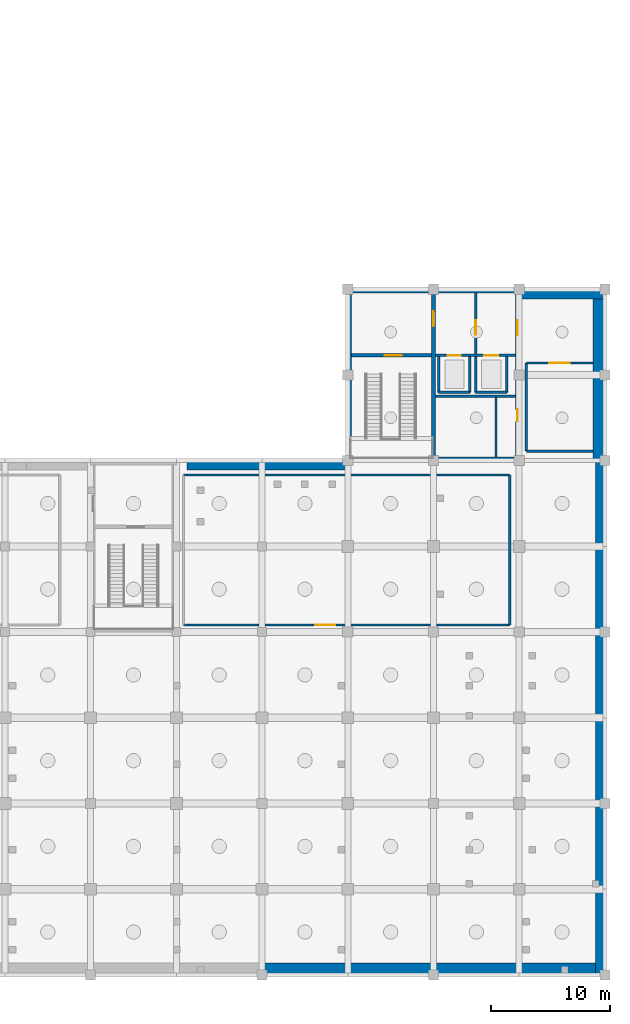
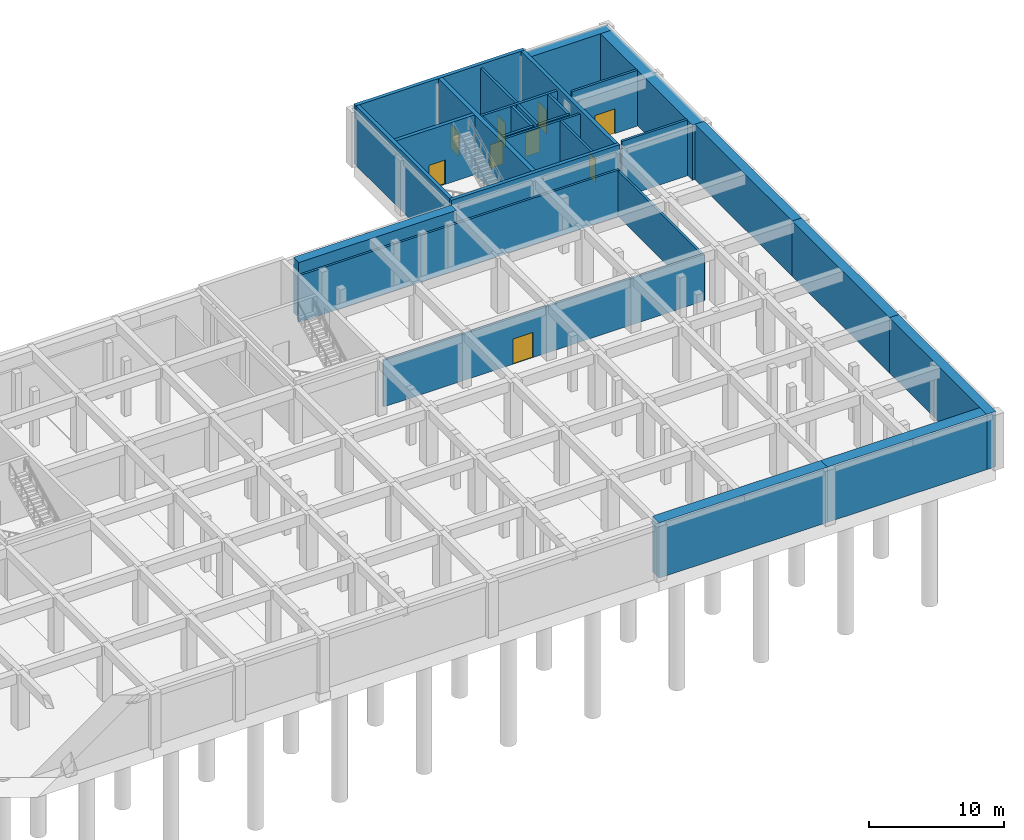
# One storey, part 10 of 15: 30 walls, 9 doors, 9 openings.
"""IFC4 building model written with IfcOpenShell, lengths in metres."""

import ifcopenshell
import ifcopenshell.guid

model = None  # the IFC model being written
_history = None  # IfcOwnerHistory: only IFC2X3 demands one
_inside = {}  # id of a spatial element -> (the spatial element, [elements in it])
_under = {}  # id of a project, library or spatial element -> (it, [spatial elements below it])
_declared = {}  # id of a project -> (the project, [libraries it declares])
_typed = {}  # id of a type object -> (the type object, [elements of that type])
_made_of = {}  # id of a material, layer set ... -> (it, [elements and type objects made of it])


def new_model(schema):
    """Start an empty IFC model of exactly this schema.

    Asked for "IFC4X3", IfcOpenShell would pick the latest addendum, in which some entities
    have other attributes; the version numbers below select the first issue.
    IFC2X3 requires an IfcOwnerHistory on every rooted entity: one is made here for all.
    """
    global model, _history
    if schema == "IFC4X3":
        model = ifcopenshell.file(schema_version=(4, 3, 0, 0))
    else:
        model = ifcopenshell.file(schema=schema)
    _inside.clear()
    _under.clear()
    _declared.clear()
    _typed.clear()
    _made_of.clear()
    _history = None
    if model.schema == "IFC2X3":
        org = make("IfcOrganization", Name="unknown")
        user = make(
            "IfcPersonAndOrganization",
            ThePerson=make("IfcPerson", FamilyName="unknown"),
            TheOrganization=org,
        )
        app = make(
            "IfcApplication",
            ApplicationDeveloper=org,
            Version="unknown",
            ApplicationFullName="unknown",
            ApplicationIdentifier="unknown",
        )
        _history = make(
            "IfcOwnerHistory",
            OwningUser=user,
            OwningApplication=app,
            ChangeAction="ADDED",
            CreationDate=0,
        )
    return model


def make(cls, **values):
    """One entity of the class cls with the attributes given. An attribute that is None is left unset."""
    return model.create_entity(
        cls, **{name: value for name, value in values.items() if value is not None}
    )


def rooted(cls, **values):
    """An entity with a GlobalId (a new one), such as an element, a storey or a relation."""
    return make(cls, GlobalId=ifcopenshell.guid.new(), OwnerHistory=_history, **values)


def si_unit(unit_type, name, prefix=None):
    """IfcSIUnit, for example si_unit("LENGTHUNIT", "METRE", prefix="MILLI")."""
    return make("IfcSIUnit", UnitType=unit_type, Prefix=prefix, Name=name)


def assignment(units):
    """IfcUnitAssignment: the units of a project."""
    return None if units is None else make("IfcUnitAssignment", Units=units)


def point(xyz):
    """IfcCartesianPoint."""
    return None if xyz is None else make("IfcCartesianPoint", Coordinates=xyz)


def direction(xyz):
    """IfcDirection."""
    return None if xyz is None else make("IfcDirection", DirectionRatios=xyz)


def frame(location, z_axis=None, x_axis=None):
    """IfcAxis2Placement3D, a coordinate frame: its origin and axes. An axis left out is left unset."""
    return make(
        "IfcAxis2Placement3D",
        Location=point(location),
        Axis=direction(z_axis),
        RefDirection=direction(x_axis),
    )


def frame_2d(location, x_axis=None):
    """IfcAxis2Placement2D, a coordinate frame in the plane: its origin and x axis."""
    return make(
        "IfcAxis2Placement2D", Location=point(location), RefDirection=direction(x_axis)
    )


def origin():
    """The frame at (0, 0, 0) with its axes left unset."""
    return frame((0.0, 0.0, 0.0))


def place(relative_to, where):
    """IfcLocalPlacement: puts the frame where relative to a parent placement (None: the world)."""
    return make(
        "IfcLocalPlacement", PlacementRelTo=relative_to, RelativePlacement=where
    )


def context(
    kind, dimensions, precision=None, world=None, true_north=None, identifier=None
):
    """IfcGeometricRepresentationContext, for example the 3D "Model" context."""
    return make(
        "IfcGeometricRepresentationContext",
        ContextIdentifier=identifier,
        ContextType=kind,
        CoordinateSpaceDimension=dimensions,
        Precision=precision,
        WorldCoordinateSystem=world,
        TrueNorth=true_north,
    )


def subcontext(parent, identifier, kind, view, scale=None):
    """IfcGeometricRepresentationSubContext, for example "Body" below "Model"."""
    return make(
        "IfcGeometricRepresentationSubContext",
        ContextIdentifier=identifier,
        ContextType=kind,
        ParentContext=parent,
        TargetScale=scale,
        TargetView=view,
    )


def project(units=None, contexts=None):
    """IfcProject with its units and contexts."""
    return rooted(
        "IfcProject",
        Name="project",
        RepresentationContexts=contexts,
        UnitsInContext=assignment(units),
    )


def spatial(cls, under=None, at=None, **own):
    """A site, building, storey or space (cls), placed at a placement, below another one or the project."""
    s = rooted(cls, ObjectPlacement=at, **own)
    if under is not None:
        _under.setdefault(under.id(), (under, []))[1].append(s)
    return s


def profile(cls, at=None, kind="AREA", **sizes):
    """A parametric profile (cls). Its sizes go by their IFC names, for example OverallWidth=200.0."""
    return make(cls, ProfileType=kind, Position=at, **sizes)


def rectangle(**sizes):
    """IfcRectangleProfileDef."""
    return profile("IfcRectangleProfileDef", **sizes)


def extrude(swept, where, along, depth):
    """IfcExtrudedAreaSolid: the profile swept, set in the frame where, extruded along a direction by depth."""
    return make(
        "IfcExtrudedAreaSolid",
        SweptArea=swept,
        Position=where,
        ExtrudedDirection=direction(along),
        Depth=depth,
    )


def shape(context_of_items, identifier, shape_type, items):
    """IfcShapeRepresentation: the items that make up one representation, for example the "Body"."""
    return make(
        "IfcShapeRepresentation",
        ContextOfItems=context_of_items,
        RepresentationIdentifier=identifier,
        RepresentationType=shape_type,
        Items=items,
    )


def material(Name=None, Category=None):
    """IfcMaterial."""
    return make("IfcMaterial", Name=Name, Category=Category)


def layer(
    of_material, thickness, ventilated=None, Name=None, Category=None, Priority=None
):
    """IfcMaterialLayer: one layer of a wall or slab, of a material (None: an air gap)."""
    return make(
        "IfcMaterialLayer",
        Material=of_material,
        LayerThickness=thickness,
        IsVentilated=ventilated,
        Name=Name,
        Category=Category,
        Priority=Priority,
    )


def layer_set(layers, Name=None):
    """IfcMaterialLayerSet."""
    return make("IfcMaterialLayerSet", MaterialLayers=layers, LayerSetName=Name)


def made_of(thing, what):
    """Note that an element or type object is made of a material, layer set ...; save() writes the relation."""
    if what is not None:
        _made_of.setdefault(what.id(), (what, []))[1].append(thing)
    return thing


def type_object(cls, material=None, **own):
    """A type object (cls), such as IfcWallType, which elements share."""
    return made_of(rooted(cls, **own), material)


def element(
    cls,
    number,
    at=None,
    inside=None,
    cuts=None,
    type_object=None,
    material=None,
    context=None,
    identifier="Body",
    shape_type=None,
    held_by="IfcProductDefinitionShape",
    body=None,
    shapes=None,
    **own,
):
    """One element of the class cls, such as IfcWall. Its Tag is "e" and its number.

    at: its placement. inside: the storey or other place that contains it. cuts: it is an
    opening in that element (IfcRelVoidsElement). A single representation is given by context,
    identifier, shape_type and body (its items); several are given by shapes. held_by: the class
    of the entity that holds the representations. save() writes the other relations.
    """
    e = rooted(cls, Tag="e%d" % number, ObjectPlacement=at, **own)
    if body is not None:
        shapes = [shape(context, identifier, shape_type, body)]
    if shapes is not None:
        e.Representation = make(held_by, Representations=shapes)
    if inside is not None:
        _inside.setdefault(inside.id(), (inside, []))[1].append(e)
    if cuts is not None:
        rooted(
            "IfcRelVoidsElement", RelatingBuildingElement=cuts, RelatedOpeningElement=e
        )
    if type_object is not None:
        _typed.setdefault(type_object.id(), (type_object, []))[1].append(e)
    return made_of(e, material)


def fill(opening, filler):
    """IfcRelFillsElement: the door or window that sits in an opening."""
    return rooted(
        "IfcRelFillsElement",
        RelatingOpeningElement=opening,
        RelatedBuildingElement=filler,
    )


def aggregate(whole, parts):
    """IfcRelAggregates: a whole, such as a stair, and the parts it consists of."""
    return rooted("IfcRelAggregates", RelatingObject=whole, RelatedObjects=parts)


def save(model, path):
    """Write the relations noted so far, then the file.

    IfcRelAggregates (storeys below a building ...), IfcRelContainedInSpatialStructure (elements
    in a storey), IfcRelDefinesByType, IfcRelAssociatesMaterial and IfcRelDeclares: one each for
    every whole, place, type object, material and project.
    """
    for whole, parts in _under.values():
        aggregate(whole, parts)
    for where, things in _inside.values():
        rooted(
            "IfcRelContainedInSpatialStructure",
            RelatedElements=things,
            RelatingStructure=where,
        )
    for kind, things in _typed.values():
        rooted("IfcRelDefinesByType", RelatedObjects=things, RelatingType=kind)
    for what, things in _made_of.values():
        rooted("IfcRelAssociatesMaterial", RelatedObjects=things, RelatingMaterial=what)
    for by, libraries in _declared.values():
        rooted("IfcRelDeclares", RelatingContext=by, RelatedDefinitions=libraries)
    model.write(path)


model = new_model("IFC4")

# Units and contexts
model_context = context("Model", 3, precision=1e-05, world=origin(), true_north=direction((0.0, 1.0)))
body_context = subcontext(model_context, "Body", "Model", "MODEL_VIEW")
ifc_project = project(units=[si_unit("LENGTHUNIT", "METRE"), si_unit("AREAUNIT", "SQUARE_METRE"), si_unit("VOLUMEUNIT", "CUBIC_METRE"), si_unit("PLANEANGLEUNIT", "RADIAN"), si_unit("MASSUNIT", "GRAM", prefix="KILO")], contexts=[model_context])

# Site, building, storey
site_placement = place(None, origin())
site = spatial("IfcSite", under=ifc_project, at=site_placement, CompositionType="ELEMENT")
building_placement = place(site_placement, origin())
building = spatial("IfcBuilding", under=site, at=building_placement, Name="Leyfeld Transit Interchange", CompositionType="ELEMENT")
storey_placement = place(building_placement, frame((0.0, 0.0, -10.800048828125)))
storey = spatial("IfcBuildingStorey", under=building, at=storey_placement, Name="B02", CompositionType="ELEMENT", Elevation=-10.800048828125)

# Walls
ifc_material_1 = material(Name="Concrete C35/45", Category="concrete")
ifc_layer_1 = layer(ifc_material_1, 1.0, Name="Concrete C35/45")
ifc_layer_set_1 = layer_set([ifc_layer_1], Name="Concrete C35/45")
wall_type_1 = type_object("IfcWallType", Name="WL-DW-1000", PredefinedType="USERDEFINED", material=ifc_layer_set_1)
for number, where, z_axis, x_axis, name in (
    (1, (158.39990234375, 14.89990234375, 0.0), (0.0, 0.0, 1.0), (-1.0, 0.0, 0.0), "Metro Diaphragm Wall DW-B02-S01-P01"),
    (2, (144.0, 14.89990234375, 0.0), (0.0, 0.0, 1.0), (-1.0, 0.0, 0.0), "Metro Diaphragm Wall DW-B02-S01-P02"),
    (3, (157.89990234375, 72.0, 0.0), (0.0, 0.0, 1.0), (0.0, -1.0, 0.0), "Metro Diaphragm Wall DW-B02-S09-P01"),
):
    element("IfcWall", number, at=place(storey_placement, frame(where, z_axis=z_axis, x_axis=x_axis)), inside=storey, type_object=wall_type_1, Name=name, ObjectType="RETAININGWALL", PredefinedType="USERDEFINED", context=body_context, shape_type="SweptSolid", body=[
        extrude(rectangle(XDim=14.39990234375, YDim=1.0, at=frame_2d((7.199951171875, 0.0))), origin(), (0.0, 0.0, 1.0), 5.0),
    ])
ifc_layer_2 = layer(ifc_material_1, 0.800048828125, Name="Concrete C35/45")
ifc_layer_set_2 = layer_set([ifc_layer_2], Name="Concrete C35/45")
wall_type_2 = type_object("IfcWallType", Name="WL-DW-800", PredefinedType="USERDEFINED", material=ifc_layer_set_2)
wall_1_placement = place(storey_placement, frame((123.300048828125, 57.199951171875, 0.0), z_axis=(0.0, 0.0, 1.0), x_axis=(1.0, 0.0, 0.0)))
element("IfcWall", 4, at=wall_1_placement, inside=storey, type_object=wall_type_2, Name="Metro Diaphragm Wall DW-B02-S06-P08", ObjectType="RETAININGWALL", PredefinedType="USERDEFINED", context=body_context, shape_type="SweptSolid", body=[
    extrude(rectangle(XDim=13.5, YDim=0.800048828125, at=frame_2d((6.75, 0.0))), origin(), (0.0, 0.0, 1.0), 5.0),
])
wall_2_placement = place(storey_placement, frame((151.25, 71.60009765625, 0.0), z_axis=(0.0, 0.0, 1.0), x_axis=(1.0, 0.0, 0.0)))
element("IfcWall", 5, at=wall_2_placement, inside=storey, type_object=wall_type_2, Name="Metro Diaphragm Wall DW-B02-S08-P01", ObjectType="RETAININGWALL", PredefinedType="USERDEFINED", context=body_context, shape_type="SweptSolid", body=[
    extrude(rectangle(XDim=7.14990234375, YDim=0.800048828125, at=frame_2d((3.574951171875, 0.0))), origin(), (0.0, 0.0, 1.0), 5.0),
])
wall_3_placement = place(storey_placement, frame((158.0, 57.60009765625, 0.0), z_axis=(0.0, 0.0, 1.0), x_axis=(0.0, -1.0, 0.0)))
element("IfcWall", 6, at=wall_3_placement, inside=storey, type_object=wall_type_2, Name="Metro Diaphragm Wall DW-B02-S10-P01", ObjectType="RETAININGWALL", PredefinedType="USERDEFINED", context=body_context, shape_type="SweptSolid", body=[
    extrude(rectangle(XDim=14.400146484375, YDim=0.800048828125, at=frame_2d((7.2001953125, 0.0))), origin(), (0.0, 0.0, 1.0), 5.0),
])
wall_4_placement = place(storey_placement, frame((158.0, 43.199951171875, 0.0), z_axis=(0.0, 0.0, 1.0), x_axis=(0.0, -1.0, 0.0)))
element("IfcWall", 7, at=wall_4_placement, inside=storey, type_object=wall_type_2, Name="Metro Diaphragm Wall DW-B02-S10-P02", ObjectType="RETAININGWALL", PredefinedType="USERDEFINED", context=body_context, shape_type="SweptSolid", body=[
    extrude(rectangle(XDim=14.39990234375, YDim=0.800048828125, at=frame_2d((7.199951171875, 0.0))), origin(), (0.0, 0.0, 1.0), 5.0),
])
wall_5_placement = place(storey_placement, frame((158.0, 28.800048828125, 0.0), z_axis=(0.0, 0.0, 1.0), x_axis=(0.0, -1.0, 0.0)))
element("IfcWall", 8, at=wall_5_placement, inside=storey, type_object=wall_type_2, Name="Metro Diaphragm Wall DW-B02-S10-P03", ObjectType="RETAININGWALL", PredefinedType="USERDEFINED", context=body_context, shape_type="SweptSolid", body=[
    extrude(rectangle(XDim=14.400146484375, YDim=0.800048828125, at=frame_2d((7.2001953125, 0.0))), origin(), (0.0, 0.0, 1.0), 5.0),
])

# Wall, opening, door
ifc_layer_3 = layer(ifc_material_1, 0.199951171875, Name="Concrete C35/45")
ifc_layer_set_3 = layer_set([ifc_layer_3], Name="Concrete C35/45")
wall_type_3 = type_object("IfcWallType", Name="WL-INT-FFL-200", PredefinedType="PARTITIONING", material=ifc_layer_set_3)
wall_6_placement = place(storey_placement, frame((147.550048828125, 66.56005859375, 0.0), z_axis=(0.0, 0.0, 1.0), x_axis=(0.0, 1.0, 0.0)))
wall_6 = element("IfcWall", 9, at=wall_6_placement, inside=storey, type_object=wall_type_3, Name="Core K4 Firefighting Lobby Compartment Wall B02", PredefinedType="PARTITIONING", context=body_context, shape_type="SweptSolid", body=[
    extrude(rectangle(XDim=5.139892578125, YDim=0.199951171875, at=frame_2d((2.56982421875, 0.0))), origin(), (0.0, 0.0, 1.0), 5.050048828125),
])
opening_1_placement = place(wall_6_placement, frame((1.60009765625, 0.0, 0.0)))
opening_1 = element("IfcOpeningElement", 10, at=opening_1_placement, cuts=wall_6, Name="Opening DI-02", PredefinedType="OPENING", context=body_context, shape_type="SweptSolid", body=[
    extrude(rectangle(XDim=1.25, YDim=2.199951171875, at=frame_2d((0.625, 1.10009765625))), frame((0.0, 0.10986328125, 0.0), z_axis=(0.0, -1.0, 0.0), x_axis=(1.0, 0.0, 0.0)), (0.0, 0.0, 1.0), 0.219970703125),
])
ifc_material_2 = material(Name="Galvanised steel S275JR", Category="steel")
door_type_1 = type_object("IfcDoorType", Name="DR-FFL-1250x2200", OperationType="NOTDEFINED", PredefinedType="DOOR", material=ifc_material_2)
door_1_placement = place(opening_1_placement, origin())
door_1 = element("IfcDoor", 11, at=door_1_placement, inside=storey, type_object=door_type_1, Name="DR-FFL-CON-K4-B02", OperationType="SINGLE_SWING_RIGHT", OverallHeight=2.199951171875, OverallWidth=1.25, PredefinedType="DOOR", context=body_context, shape_type="SweptSolid", body=[
    extrude(rectangle(XDim=1.25, YDim=2.199951171875, at=frame_2d((0.625, 1.10009765625))), frame((0.0, 0.02490234375, 0.0), z_axis=(0.0, -1.0, 0.0), x_axis=(1.0, 0.0, 0.0)), (0.0, 0.0, 1.0), 0.050048828125),
])
fill(opening_1, door_1)

wall_7_placement = place(storey_placement, frame((151.800048828125, 65.800048828125, 0.0), z_axis=(0.0, 0.0, 1.0), x_axis=(1.0, 0.0, 0.0)))
wall_7 = element("IfcWall", 12, at=wall_7_placement, inside=storey, type_object=wall_type_3, Name="Interior Partition B02-SIG-01 N", PredefinedType="PARTITIONING", context=body_context, shape_type="SweptSolid", body=[
    extrude(rectangle(XDim=5.599853515625, YDim=0.199951171875, at=frame_2d((2.7998046875, 0.0))), origin(), (0.0, 0.0, 1.0), 5.050048828125),
])
opening_2_placement = place(wall_7_placement, frame((1.93994140625, 0.0, 0.0)))
opening_2 = element("IfcOpeningElement", 13, at=opening_2_placement, cuts=wall_7, Name="Opening DU-18", PredefinedType="OPENING", context=body_context, shape_type="SweptSolid", body=[
    extrude(rectangle(XDim=1.719970703125, YDim=2.219970703125, at=frame_2d((0.85986328125, 1.10986328125))), frame((0.0, 0.10986328125, 0.0), z_axis=(0.0, -1.0, 0.0), x_axis=(1.0, 0.0, 0.0)), (0.0, 0.0, 1.0), 0.219970703125),
])
ifc_material_3 = material(Name="Austrian larch glulam GL28h", Category="wood")
door_type_2 = type_object("IfcDoorType", Name="DR-UNQ-18", OperationType="NOTDEFINED", PredefinedType="DOOR", material=ifc_material_3)
door_2_placement = place(opening_2_placement, origin())
door_2 = element("IfcDoor", 14, at=door_2_placement, inside=storey, type_object=door_type_2, Name="DR-B02-SIG-01", OperationType="DOUBLE_DOOR_SINGLE_SWING", OverallHeight=2.219970703125, OverallWidth=1.719970703125, PredefinedType="DOOR", context=body_context, shape_type="SweptSolid", body=[
    extrude(rectangle(XDim=1.719970703125, YDim=2.219970703125, at=frame_2d((0.85986328125, 1.10986328125))), frame((0.0, 0.02490234375, 0.0), z_axis=(0.0, -1.0, 0.0), x_axis=(1.0, 0.0, 0.0)), (0.0, 0.0, 1.0), 0.050048828125),
])
fill(opening_2, door_2)

# Walls
wall_8_placement = place(storey_placement, frame((157.39990234375, 58.39990234375, 0.0), z_axis=(0.0, 0.0, 1.0), x_axis=(-1.0, 0.0, 0.0)))
element("IfcWall", 15, at=wall_8_placement, inside=storey, type_object=wall_type_3, Name="Interior Partition B02-SIG-01 S", PredefinedType="PARTITIONING", context=body_context, shape_type="SweptSolid", body=[
    extrude(rectangle(XDim=5.599853515625, YDim=0.199951171875, at=frame_2d((2.7998046875, 0.0))), origin(), (0.0, 0.0, 1.0), 5.050048828125),
])
wall_9_placement = place(storey_placement, frame((151.800048828125, 58.39990234375, 0.0), z_axis=(0.0, 0.0, 1.0), x_axis=(0.0, 1.0, 0.0)))
element("IfcWall", 16, at=wall_9_placement, inside=storey, type_object=wall_type_3, Name="Interior Partition B02-SIG-01 W", PredefinedType="PARTITIONING", context=body_context, shape_type="SweptSolid", body=[
    extrude(rectangle(XDim=7.400146484375, YDim=0.199951171875, at=frame_2d((3.7001953125, 0.0))), origin(), (0.0, 0.0, 1.0), 4.1201171875),
])
ifc_material_4 = material(Name="Calcium silicate masonry", Category="masonry")
ifc_layer_4 = layer(ifc_material_4, 0.18994140625, Name="Calcium silicate masonry")
ifc_layer_set_4 = layer_set([ifc_layer_4], Name="Calcium silicate masonry")
wall_type_4 = type_object("IfcWallType", Name="WL-INT-PLT-190", PredefinedType="PARTITIONING", material=ifc_layer_set_4)
wall_10_placement = place(storey_placement, frame((144.179931640625, 63.02001953125, 0.0), z_axis=(0.0, 0.0, 1.0), x_axis=(1.0, 0.0, 0.0)))
element("IfcWall", 17, at=wall_10_placement, inside=storey, type_object=wall_type_4, Name="Core K4 Riser Compartment Wall B02", PredefinedType="PARTITIONING", context=body_context, shape_type="SweptSolid", body=[
    extrude(rectangle(XDim=6.719970703125, YDim=0.18994140625, at=frame_2d((3.35986328125, 0.0))), origin(), (0.0, 0.0, 1.0), 5.050048828125),
])
wall_11_placement = place(storey_placement, frame((149.25, 57.89990234375, 0.0), z_axis=(0.0, 0.0, 1.0), x_axis=(0.0, 1.0, 0.0)))
element("IfcWall", 18, at=wall_11_placement, inside=storey, type_object=wall_type_4, Name="Core K4 Riser Shaft East Wall B02", PredefinedType="PARTITIONING", context=body_context, shape_type="SweptSolid", body=[
    extrude(rectangle(XDim=5.030029296875, YDim=0.18994140625, at=frame_2d((2.51513671875, 0.0))), origin(), (0.0, 0.0, 1.0), 5.050048828125),
])
wall_12_placement = place(storey_placement, frame((123.0, 56.39990234375, 0.0), z_axis=(0.0, 0.0, 1.0), x_axis=(1.0, 0.0, 0.0)))
element("IfcWall", 19, at=wall_12_placement, inside=storey, type_object=wall_type_4, Name="Interior Partition B02-VNT-01 N", PredefinedType="PARTITIONING", context=body_context, shape_type="SweptSolid", body=[
    extrude(rectangle(XDim=27.39990234375, YDim=0.18994140625, at=frame_2d((13.699951171875, 0.0))), origin(), (0.0, 0.0, 1.0), 4.199951171875),
])

# Wall, opening, door
wall_13_placement = place(storey_placement, frame((150.39990234375, 43.800048828125, 0.0), z_axis=(0.0, 0.0, 1.0), x_axis=(-1.0, 0.0, 0.0)))
wall_13 = element("IfcWall", 20, at=wall_13_placement, inside=storey, type_object=wall_type_4, Name="Interior Partition B02-VNT-01 S", PredefinedType="PARTITIONING", context=body_context, shape_type="SweptSolid", body=[
    extrude(rectangle(XDim=27.39990234375, YDim=0.18994140625, at=frame_2d((13.699951171875, 0.0))), origin(), (0.0, 0.0, 1.0), 4.199951171875),
])
opening_3_placement = place(wall_13_placement, frame((14.659912109375, 0.0, 0.0)))
opening_3 = element("IfcOpeningElement", 21, at=opening_3_placement, cuts=wall_13, Name="Opening DU-17", PredefinedType="OPENING", context=body_context, shape_type="SweptSolid", body=[
    extrude(rectangle(XDim=1.679931640625, YDim=2.280029296875, at=frame_2d((0.83984375, 1.14013671875))), frame((0.0, 0.10498046875, 0.0), z_axis=(0.0, -1.0, 0.0), x_axis=(1.0, 0.0, 0.0)), (0.0, 0.0, 1.0), 0.2099609375),
])
door_type_3 = type_object("IfcDoorType", Name="DR-UNQ-17", OperationType="NOTDEFINED", PredefinedType="DOOR", material=ifc_material_3)
door_3_placement = place(opening_3_placement, origin())
door_3 = element("IfcDoor", 22, at=door_3_placement, inside=storey, type_object=door_type_3, Name="DR-B02-VNT-01", OperationType="DOUBLE_DOOR_SINGLE_SWING", OverallHeight=2.280029296875, OverallWidth=1.679931640625, PredefinedType="DOOR", context=body_context, shape_type="SweptSolid", body=[
    extrude(rectangle(XDim=1.679931640625, YDim=2.280029296875, at=frame_2d((0.83984375, 1.14013671875))), frame((0.0, 0.02490234375, 0.0), z_axis=(0.0, -1.0, 0.0), x_axis=(1.0, 0.0, 0.0)), (0.0, 0.0, 1.0), 0.050048828125),
])
fill(opening_3, door_3)

# Wall
wall_14_placement = place(storey_placement, frame((150.39990234375, 56.39990234375, 0.0), z_axis=(0.0, 0.0, 1.0), x_axis=(0.0, -1.0, 0.0)))
element("IfcWall", 23, at=wall_14_placement, inside=storey, type_object=wall_type_4, Name="Interior Partition B02-VNT-01 E", PredefinedType="PARTITIONING", context=body_context, shape_type="SweptSolid", body=[
    extrude(rectangle(XDim=12.599853515625, YDim=0.18994140625, at=frame_2d((6.2998046875, 0.0))), origin(), (0.0, 0.0, 1.0), 4.10009765625),
])

# Wall, openings, doors
ifc_layer_5 = layer(ifc_material_1, 0.219970703125, Name="Concrete C35/45")
ifc_layer_set_5 = layer_set([ifc_layer_5], Name="Concrete C35/45")
wall_type_5 = type_object("IfcWallType", Name="WL-INT-SHF-220", PredefinedType="PARTITIONING", material=ifc_layer_set_5)
wall_15_placement = place(storey_placement, frame((144.179931640625, 66.449951171875, 0.0), z_axis=(0.0, 0.0, 1.0), x_axis=(1.0, 0.0, 0.0)))
wall_15 = element("IfcWall", 24, at=wall_15_placement, inside=storey, type_object=wall_type_5, Name="Core K4 Lift Shaft Front Wall B02", PredefinedType="PARTITIONING", context=body_context, shape_type="SweptSolid", body=[
    extrude(rectangle(XDim=6.719970703125, YDim=0.219970703125, at=frame_2d((3.35986328125, 0.0))), origin(), (0.0, 0.0, 1.0), 5.050048828125),
])
opening_4_placement = place(wall_15_placement, frame((1.02001953125, 0.0, 0.0)))
opening_4 = element("IfcOpeningElement", 25, at=opening_4_placement, cuts=wall_15, Name="Opening LD-01", PredefinedType="OPENING", context=body_context, shape_type="SweptSolid", body=[
    extrude(rectangle(XDim=1.10009765625, YDim=2.14990234375, at=frame_2d((0.550048828125, 1.074951171875))), frame((0.0, 0.119873046875, 0.0), z_axis=(0.0, -1.0, 0.0), x_axis=(1.0, 0.0, 0.0)), (0.0, 0.0, 1.0), 0.239990234375),
])
opening_5_placement = place(wall_15_placement, frame((4.070068359375, 0.0, 0.0)))
opening_5 = element("IfcOpeningElement", 26, at=opening_5_placement, cuts=wall_15, Name="Opening LD-02", PredefinedType="OPENING", context=body_context, shape_type="SweptSolid", body=[
    extrude(rectangle(XDim=1.199951171875, YDim=2.14990234375, at=frame_2d((0.60009765625, 1.074951171875))), frame((0.0, 0.119873046875, 0.0), z_axis=(0.0, -1.0, 0.0), x_axis=(1.0, 0.0, 0.0)), (0.0, 0.0, 1.0), 0.239990234375),
])
ifc_material_5 = material(Name="Stainless steel EN 1.4404", Category="steel")
door_type_4 = type_object("IfcDoorType", Name="DR-LD-FFL-1100x2150", OperationType="NOTDEFINED", PredefinedType="DOOR", material=ifc_material_5)
door_4_placement = place(opening_4_placement, origin())
door_4 = element("IfcDoor", 27, at=door_4_placement, inside=storey, type_object=door_type_4, Name="LD-FFL-2-B02", OperationType="DOUBLE_DOOR_SLIDING", OverallHeight=2.14990234375, OverallWidth=1.10009765625, PredefinedType="DOOR", context=body_context, shape_type="SweptSolid", body=[
    extrude(rectangle(XDim=1.10009765625, YDim=2.14990234375, at=frame_2d((0.550048828125, 1.074951171875))), frame((0.0, 0.02490234375, 0.0), z_axis=(0.0, -1.0, 0.0), x_axis=(1.0, 0.0, 0.0)), (0.0, 0.0, 1.0), 0.050048828125),
])
fill(opening_4, door_4)
door_type_5 = type_object("IfcDoorType", Name="DR-LD-PAS-1200x2150", OperationType="NOTDEFINED", PredefinedType="DOOR", material=ifc_material_5)
door_5_placement = place(opening_5_placement, origin())
door_5 = element("IfcDoor", 28, at=door_5_placement, inside=storey, type_object=door_type_5, Name="LD-PL-4-B02", OperationType="DOUBLE_DOOR_SLIDING", OverallHeight=2.14990234375, OverallWidth=1.199951171875, PredefinedType="DOOR", context=body_context, shape_type="SweptSolid", body=[
    extrude(rectangle(XDim=1.199951171875, YDim=2.14990234375, at=frame_2d((0.60009765625, 1.074951171875))), frame((0.0, 0.02490234375, 0.0), z_axis=(0.0, -1.0, 0.0), x_axis=(1.0, 0.0, 0.0)), (0.0, 0.0, 1.0), 0.050048828125),
])
fill(opening_5, door_5)

# Walls
wall_16_placement = place(storey_placement, frame((144.43994140625, 63.340087890625, 0.0), z_axis=(0.0, 0.0, 1.0), x_axis=(1.0, 0.0, 0.0)))
element("IfcWall", 29, at=wall_16_placement, inside=storey, type_object=wall_type_5, Name="Core K4 Lift FFL-2 Shaft Back Wall B02", PredefinedType="PARTITIONING", context=body_context, shape_type="SweptSolid", body=[
    extrude(rectangle(XDim=2.6201171875, YDim=0.219970703125, at=frame_2d((1.31005859375, 0.0))), origin(), (0.0, 0.0, 1.0), 5.050048828125),
])
for number, where, z_axis, x_axis, name in (
    (30, (144.43994140625, 63.340087890625, 0.0), (0.0, 0.0, 1.0), (0.0, 1.0, 0.0), "Core K4 Lift FFL-2 Shaft Wall W B02"),
    (31, (147.06005859375, 63.340087890625, 0.0), (0.0, 0.0, 1.0), (0.0, 1.0, 0.0), "Core K4 Lift FFL-2 Shaft Wall E B02"),
):
    element("IfcWall", number, at=place(storey_placement, frame(where, z_axis=z_axis, x_axis=x_axis)), inside=storey, type_object=wall_type_5, Name=name, PredefinedType="PARTITIONING", context=body_context, shape_type="SweptSolid", body=[
        extrude(rectangle(XDim=3.0, YDim=0.219970703125, at=frame_2d((1.5, 0.0))), origin(), (0.0, 0.0, 1.0), 5.050048828125),
    ])
wall_17_placement = place(storey_placement, frame((147.5400390625, 63.340087890625, 0.0), z_axis=(0.0, 0.0, 1.0), x_axis=(1.0, 0.0, 0.0)))
element("IfcWall", 32, at=wall_17_placement, inside=storey, type_object=wall_type_5, Name="Core K4 Lift PL-4 Shaft Back Wall B02", PredefinedType="PARTITIONING", context=body_context, shape_type="SweptSolid", body=[
    extrude(rectangle(XDim=2.619873046875, YDim=0.219970703125, at=frame_2d((1.31005859375, 0.0))), origin(), (0.0, 0.0, 1.0), 5.050048828125),
])
for number, where, z_axis, x_axis, name in (
    (33, (147.5400390625, 63.340087890625, 0.0), (0.0, 0.0, 1.0), (0.0, 1.0, 0.0), "Core K4 Lift PL-4 Shaft Wall W B02"),
    (34, (150.159912109375, 63.340087890625, 0.0), (0.0, 0.0, 1.0), (0.0, 1.0, 0.0), "Core K4 Lift PL-4 Shaft Wall E B02"),
):
    element("IfcWall", number, at=place(storey_placement, frame(where, z_axis=z_axis, x_axis=x_axis)), inside=storey, type_object=wall_type_5, Name=name, PredefinedType="PARTITIONING", context=body_context, shape_type="SweptSolid", body=[
        extrude(rectangle(XDim=3.0, YDim=0.219970703125, at=frame_2d((1.5, 0.0))), origin(), (0.0, 0.0, 1.0), 5.050048828125),
    ])
ifc_layer_6 = layer(ifc_material_1, 0.300048828125, Name="Concrete C35/45")
ifc_layer_set_6 = layer_set([ifc_layer_6], Name="Concrete C35/45")
wall_type_6 = type_object("IfcWallType", Name="WL-SH-300", PredefinedType="SHEAR", material=ifc_layer_set_6)
wall_18_placement = place(storey_placement, frame((136.800048828125, 71.85009765625, 0.0), z_axis=(0.0, 0.0, 1.0), x_axis=(1.0, 0.0, 0.0)))
element("IfcWall", 35, at=wall_18_placement, inside=storey, type_object=wall_type_6, Name="Core K4 Shear Wall N B02", PredefinedType="SHEAR", context=body_context, shape_type="SweptSolid", body=[
    extrude(rectangle(XDim=14.39990234375, YDim=0.300048828125, at=frame_2d((7.199951171875, 0.0))), origin(), (0.0, 0.0, 1.0), 5.400146484375),
])

# Wall, openings, doors
wall_19_placement = place(storey_placement, frame((151.050048828125, 71.699951171875, 0.0), z_axis=(0.0, 0.0, 1.0), x_axis=(0.0, -1.0, 0.0)))
wall_19 = element("IfcWall", 36, at=wall_19_placement, inside=storey, type_object=wall_type_6, Name="Core K4 Shear Wall E B02", PredefinedType="SHEAR", context=body_context, shape_type="SweptSolid", body=[
    extrude(rectangle(XDim=13.800048828125, YDim=0.300048828125, at=frame_2d((6.89990234375, 0.0))), origin(), (0.0, 0.0, 1.0), 5.400146484375),
])
opening_6_placement = place(wall_19_placement, frame((9.800048828125, 0.0, 0.0)))
opening_6 = element("IfcOpeningElement", 37, at=opening_6_placement, cuts=wall_19, Name="Opening DI-05", PredefinedType="OPENING", context=body_context, shape_type="SweptSolid", body=[
    extrude(rectangle(XDim=1.0, YDim=2.14990234375, at=frame_2d((0.5, 1.074951171875))), frame((0.0, 0.159912109375, 0.0), z_axis=(0.0, -1.0, 0.0), x_axis=(1.0, 0.0, 0.0)), (0.0, 0.0, 1.0), 0.320068359375),
])
opening_7_placement = place(wall_19_placement, frame((2.300048828125, 0.0, 0.0)))
opening_7 = element("IfcOpeningElement", 38, at=opening_7_placement, cuts=wall_19, Name="Opening DI-02", PredefinedType="OPENING", context=body_context, shape_type="SweptSolid", body=[
    extrude(rectangle(XDim=1.25, YDim=2.199951171875, at=frame_2d((0.625, 1.10009765625))), frame((0.0, 0.159912109375, 0.0), z_axis=(0.0, -1.0, 0.0), x_axis=(1.0, 0.0, 0.0)), (0.0, 0.0, 1.0), 0.320068359375),
])
door_6_placement = place(opening_7_placement, origin())
door_6 = element("IfcDoor", 39, at=door_6_placement, inside=storey, type_object=door_type_1, Name="DR-CORE-OUT-K4-B02", OperationType="SINGLE_SWING_LEFT", OverallHeight=2.199951171875, OverallWidth=1.25, PredefinedType="DOOR", context=body_context, shape_type="SweptSolid", body=[
    extrude(rectangle(XDim=1.25, YDim=2.199951171875, at=frame_2d((0.625, 1.10009765625))), frame((0.0, 0.02490234375, 0.0), z_axis=(0.0, -1.0, 0.0), x_axis=(1.0, 0.0, 0.0)), (0.0, 0.0, 1.0), 0.050048828125),
])
fill(opening_7, door_6)
door_type_6 = type_object("IfcDoorType", Name="DR-OFF-1000x2150", OperationType="NOTDEFINED", PredefinedType="DOOR", material=ifc_material_3)
door_7_placement = place(opening_6_placement, origin())
door_7 = element("IfcDoor", 40, at=door_7_placement, inside=storey, type_object=door_type_6, Name="DR-RSR-K4-B02", OperationType="SINGLE_SWING_LEFT", OverallHeight=2.14990234375, OverallWidth=1.0, PredefinedType="DOOR", context=body_context, shape_type="SweptSolid", body=[
    extrude(rectangle(XDim=1.0, YDim=2.14990234375, at=frame_2d((0.5, 1.074951171875))), frame((0.0, 0.02490234375, 0.0), z_axis=(0.0, -1.0, 0.0), x_axis=(1.0, 0.0, 0.0)), (0.0, 0.0, 1.0), 0.050048828125),
])
fill(opening_6, door_7)

# Walls
wall_20_placement = place(storey_placement, frame((151.199951171875, 57.75, 0.0), z_axis=(0.0, 0.0, 1.0), x_axis=(-1.0, 0.0, 0.0)))
element("IfcWall", 41, at=wall_20_placement, inside=storey, type_object=wall_type_6, Name="Core K4 Shear Wall S B02", PredefinedType="SHEAR", context=body_context, shape_type="SweptSolid", body=[
    extrude(rectangle(XDim=14.39990234375, YDim=0.300048828125, at=frame_2d((7.199951171875, 0.0))), origin(), (0.0, 0.0, 1.0), 5.400146484375),
])
wall_21_placement = place(storey_placement, frame((136.949951171875, 57.89990234375, 0.0), z_axis=(0.0, 0.0, 1.0), x_axis=(0.0, 1.0, 0.0)))
element("IfcWall", 42, at=wall_21_placement, inside=storey, type_object=wall_type_6, Name="Core K4 Shear Wall W B02", PredefinedType="SHEAR", context=body_context, shape_type="SweptSolid", body=[
    extrude(rectangle(XDim=13.800048828125, YDim=0.300048828125, at=frame_2d((6.89990234375, 0.0))), origin(), (0.0, 0.0, 1.0), 5.400146484375),
])

# Wall, opening, door
wall_22_placement = place(storey_placement, frame((137.10009765625, 66.449951171875, 0.0), z_axis=(0.0, 0.0, 1.0), x_axis=(1.0, 0.0, 0.0)))
wall_22 = element("IfcWall", 43, at=wall_22_placement, inside=storey, type_object=wall_type_6, Name="Core K4 Shear Wall STRN B02", PredefinedType="SHEAR", context=body_context, shape_type="SweptSolid", body=[
    extrude(rectangle(XDim=6.724853515625, YDim=0.300048828125, at=frame_2d((3.3623046875, 0.0))), origin(), (0.0, 0.0, 1.0), 5.400146484375),
])
opening_8_placement = place(wall_22_placement, frame((2.824951171875, 0.0, 0.0)))
opening_8 = element("IfcOpeningElement", 44, at=opening_8_placement, cuts=wall_22, Name="Opening DI-01", PredefinedType="OPENING", context=body_context, shape_type="SweptSolid", body=[
    extrude(rectangle(XDim=1.39990234375, YDim=2.199951171875, at=frame_2d((0.699951171875, 1.10009765625))), frame((0.0, 0.159912109375, 0.0), z_axis=(0.0, -1.0, 0.0), x_axis=(1.0, 0.0, 0.0)), (0.0, 0.0, 1.0), 0.320068359375),
])
door_type_7 = type_object("IfcDoorType", Name="DR-STR-1400x2200", OperationType="NOTDEFINED", PredefinedType="DOOR", material=ifc_material_2)
door_8_placement = place(opening_8_placement, origin())
door_8 = element("IfcDoor", 45, at=door_8_placement, inside=storey, type_object=door_type_7, Name="DR-STR-INT-K4-B02", OperationType="SINGLE_SWING_LEFT", OverallHeight=2.199951171875, OverallWidth=1.39990234375, PredefinedType="DOOR", context=body_context, shape_type="SweptSolid", body=[
    extrude(rectangle(XDim=1.39990234375, YDim=2.199951171875, at=frame_2d((0.699951171875, 1.10009765625))), frame((0.0, 0.02490234375, 0.0), z_axis=(0.0, -1.0, 0.0), x_axis=(1.0, 0.0, 0.0)), (0.0, 0.0, 1.0), 0.050048828125),
])
fill(opening_8, door_8)

ifc_layer_7 = layer(ifc_material_1, 0.35009765625, Name="Concrete C35/45")
ifc_layer_set_7 = layer_set([ifc_layer_7], Name="Concrete C35/45")
wall_type_7 = type_object("IfcWallType", Name="WL-SH-350", PredefinedType="SHEAR", material=ifc_layer_set_7)
wall_23_placement = place(storey_placement, frame((144.0, 71.699951171875, 0.0), z_axis=(0.0, 0.0, 1.0), x_axis=(0.0, -1.0, 0.0)))
wall_23 = element("IfcWall", 46, at=wall_23_placement, inside=storey, type_object=wall_type_7, Name="Core K4 Shear Wall MID B02", PredefinedType="SHEAR", context=body_context, shape_type="SweptSolid", body=[
    extrude(rectangle(XDim=13.800048828125, YDim=0.35009765625, at=frame_2d((6.89990234375, 0.0))), origin(), (0.0, 0.0, 1.0), 5.400146484375),
])
opening_9_placement = place(wall_23_placement, frame((1.550048828125, 0.0, 0.0)))
opening_9 = element("IfcOpeningElement", 47, at=opening_9_placement, cuts=wall_23, Name="Opening DI-02", PredefinedType="OPENING", context=body_context, shape_type="SweptSolid", body=[
    extrude(rectangle(XDim=1.25, YDim=2.199951171875, at=frame_2d((0.625, 1.10009765625))), frame((0.0, 0.18505859375, 0.0), z_axis=(0.0, -1.0, 0.0), x_axis=(1.0, 0.0, 0.0)), (0.0, 0.0, 1.0), 0.3701171875),
])
door_9_placement = place(opening_9_placement, origin())
door_9 = element("IfcDoor", 48, at=door_9_placement, inside=storey, type_object=door_type_1, Name="DR-CORE-MID-K4-B02", OperationType="SINGLE_SWING_RIGHT", OverallHeight=2.199951171875, OverallWidth=1.25, PredefinedType="DOOR", context=body_context, shape_type="SweptSolid", body=[
    extrude(rectangle(XDim=1.25, YDim=2.199951171875, at=frame_2d((0.625, 1.10009765625))), frame((0.0, 0.02490234375, 0.0), z_axis=(0.0, -1.0, 0.0), x_axis=(1.0, 0.0, 0.0)), (0.0, 0.0, 1.0), 0.050048828125),
])
fill(opening_9, door_9)

save(model, "model.ifc")
